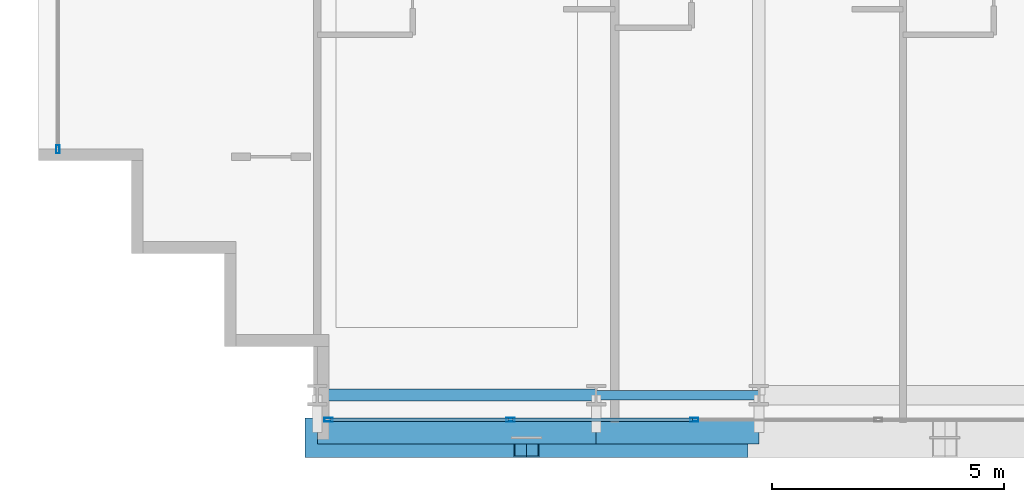
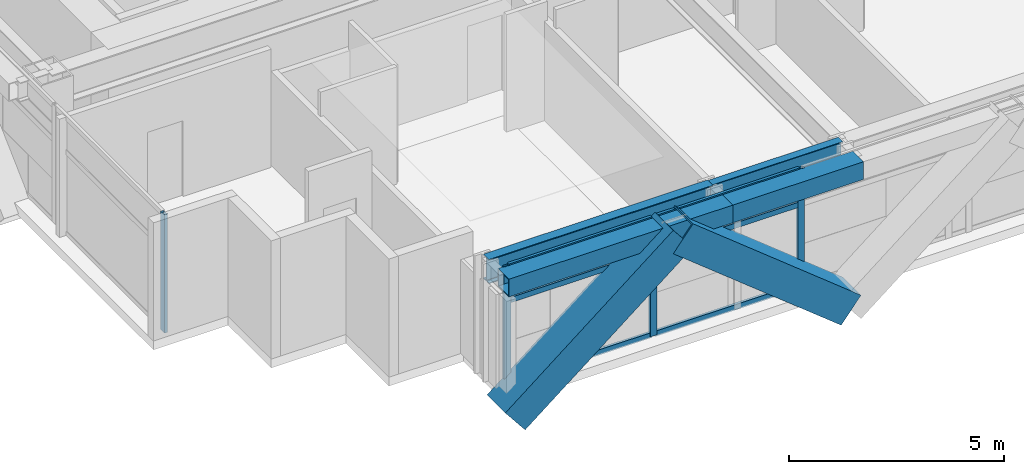
# One storey, part 2 of 35: 12 members, 4 beams, 2 elements without a shape of their own.
"""IFC4 building model written with IfcOpenShell, lengths in metres."""

from ifc_helpers import new_model, si_unit, direction, frame, origin, origin_2d, place, context, subcontext, project, spatial, hollow_rectangle, i_section, extrude, source, transform, mapped, material, layer, layer_set, material_profile, profile_set, type_object, element, aggregate, save


model = new_model("IFC4")

# Units and contexts
model_context = context("Model", 3, precision=1e-05, world=origin(), true_north=direction((0.0, 1.0)))
body_context = subcontext(model_context, "Body", "Model", "MODEL_VIEW")
ifc_project = project(units=[si_unit("LENGTHUNIT", "METRE"), si_unit("AREAUNIT", "SQUARE_METRE"), si_unit("VOLUMEUNIT", "CUBIC_METRE"), si_unit("PLANEANGLEUNIT", "RADIAN"), si_unit("MASSUNIT", "GRAM", prefix="KILO")], contexts=[model_context])

# Site, building, storey
site_placement = place(None, origin())
site = spatial("IfcSite", under=ifc_project, at=site_placement, CompositionType="ELEMENT")
building_placement = place(site_placement, origin())
building = spatial("IfcBuilding", under=site, at=building_placement, Name="Ocotamira Hotel", CompositionType="ELEMENT")
storey_placement = place(building_placement, frame((0.0, 0.0, 49.199951171875)))
storey = spatial("IfcBuildingStorey", under=building, at=storey_placement, Name="L11", CompositionType="ELEMENT", Elevation=49.199951171875)

# Beams
ifc_material_1 = material(Name="Steel ASTM A992 Grade 50", Category="steel")
ifc_material_profile_1 = material_profile(ifc_material_1, i_section(OverallWidth=0.256103515625, OverallDepth=0.693115234375, WebThickness=0.014404296875, FlangeThickness=0.023681640625, FilletRadius=0.01611328125, at=origin_2d()), Name="W27X114")
ifc_profile_set_1 = profile_set([ifc_material_profile_1], Name="Steel ASTM A992 Grade 50")
beam_type_1 = type_object("IfcBeamType", Name="BM-PRIM-W27X114", PredefinedType="BEAM", material=ifc_profile_set_1)
shared_shape_1 = source(origin(), body_context, "Body", "SweptSolid", [
    extrude(i_section(OverallWidth=0.256103515625, OverallDepth=0.693115234375, WebThickness=0.014404296875, FlangeThickness=0.023681640625, FilletRadius=0.01611328125, at=origin_2d()), origin(), (0.0, 0.0, 1.0), 6.0),
])
beam_1_placement = place(storey_placement, frame((14.0, 2.949951171875, 3.003662109375), z_axis=(1.0, 0.0, 0.0), x_axis=(0.0, 1.0, 0.0)))
element("IfcBeam", 1, at=beam_1_placement, inside=storey, type_object=beam_type_1, Name="L11 Girder Y2.95 X14-20", PredefinedType="BEAM", context=body_context, shape_type="MappedRepresentation", body=[
    mapped(shared_shape_1, transform((0.0, 0.0, 0.0), scale=1.0)),
])
ifc_material_profile_2 = material_profile(ifc_material_1, i_section(OverallWidth=0.2099609375, OverallDepth=0.537109375, WebThickness=0.010986328125, FlangeThickness=0.017333984375, FilletRadius=0.012939453125, at=origin_2d()), Name="W21X68")
ifc_profile_set_2 = profile_set([ifc_material_profile_2], Name="Steel ASTM A992 Grade 50")
beam_type_2 = type_object("IfcBeamType", Name="BM-SEC-W21X68", PredefinedType="JOIST", material=ifc_profile_set_2)
shared_shape_2 = source(origin(), body_context, "Body", "SweptSolid", [
    extrude(i_section(OverallWidth=0.2099609375, OverallDepth=0.537109375, WebThickness=0.010986328125, FlangeThickness=0.017333984375, FilletRadius=0.012939453125, at=origin_2d()), origin(), (0.0, 0.0, 1.0), 3.5),
])
beam_2_placement = place(storey_placement, frame((20.0, 2.949951171875, 3.08154296875), z_axis=(1.0, 0.0, 0.0), x_axis=(0.0, 1.0, 0.0)))
element("IfcBeam", 2, at=beam_2_placement, inside=storey, type_object=beam_type_2, Name="L11 Girder Y2.95 X20-23.5", PredefinedType="JOIST", context=body_context, shape_type="MappedRepresentation", body=[
    mapped(shared_shape_2, transform((0.0, 0.0, 0.0), scale=1.0)),
])
ifc_material_2 = material(Name="Steel ASTM A500 Grade C", Category="steel")
ifc_material_profile_3 = material_profile(ifc_material_2, hollow_rectangle(XDim=0.5, YDim=0.5, WallThickness=0.02001953125, at=origin_2d()), Name="HSS500X500X20")
ifc_profile_set_3 = profile_set([ifc_material_profile_3], Name="Steel ASTM A500 Grade C")
beam_type_3 = type_object("IfcBeamType", Name="BM-SPAN-HSS500", PredefinedType="USERDEFINED", material=ifc_profile_set_3)
shared_shape_3 = source(origin(), body_context, "Body", "SweptSolid", [
    extrude(hollow_rectangle(XDim=0.5, YDim=0.5, WallThickness=0.02001953125, at=origin_2d()), origin(), (0.0, 0.0, 1.0), 6.0),
])
beam_3_placement = place(storey_placement, frame((14.0, 2.14990234375, 3.10009765625), z_axis=(1.0, 0.0, 0.0), x_axis=(0.0, 1.0, 0.0)))
element("IfcBeam", 3, at=beam_3_placement, inside=storey, type_object=beam_type_3, Name="L11 Edge Spandrel S X14-20", ObjectType="SPANDREL", PredefinedType="USERDEFINED", context=body_context, shape_type="MappedRepresentation", body=[
    mapped(shared_shape_3, transform((0.0, 0.0, 0.0), scale=1.0)),
])
shared_shape_4 = source(origin(), body_context, "Body", "SweptSolid", [
    extrude(hollow_rectangle(XDim=0.5, YDim=0.5, WallThickness=0.02001953125, at=origin_2d()), origin(), (0.0, 0.0, 1.0), 3.5),
])
beam_4_placement = place(storey_placement, frame((20.0, 2.14990234375, 3.10009765625), z_axis=(1.0, 0.0, 0.0), x_axis=(0.0, 1.0, 0.0)))
element("IfcBeam", 4, at=beam_4_placement, inside=storey, type_object=beam_type_3, Name="L11 Edge Spandrel S X20-23.5", ObjectType="SPANDREL", PredefinedType="USERDEFINED", context=body_context, shape_type="MappedRepresentation", body=[
    mapped(shared_shape_4, transform((0.0, 0.0, 0.0), scale=1.0)),
])

# Members
ifc_material_3 = material(Name="Pale-metal coated steel ASTM A913 Grade 65", Category="steel")
ifc_material_profile_4 = material_profile(ifc_material_3, hollow_rectangle(XDim=0.85009765625, YDim=0.85009765625, WallThickness=0.035888671875, at=origin_2d()), Name="BOX850X850X36")
ifc_profile_set_4 = profile_set([ifc_material_profile_4], Name="Pale-metal coated steel ASTM A913 Grade 65")
member_type_1 = type_object("IfcMemberType", Name="MEM-EXO-BOX850", PredefinedType="BRACE", material=ifc_profile_set_4)
shared_shape_5 = source(origin(), body_context, "Body", "SweptSolid", [
    extrude(hollow_rectangle(XDim=0.85009765625, YDim=0.85009765625, WallThickness=0.035888671875, at=origin_2d()), origin(), (0.0, 0.0, 1.0), 5.762939453125),
])
for number, where, z_axis, x_axis, name in (
    (5, (14.0, 2.030029296875, -0.5), (0.780860543151, 0.0, 0.624705380279), (0.0, 1.0, 0.0), "L11 Exoskeleton Diagrid S0.1"),
    (6, (23.0, 2.030029296875, -0.5), (-0.780860543151, 0.0, 0.624705380279), (0.0, -1.0, 0.0), "L11 Exoskeleton Diagrid S0.2"),
):
    element("IfcMember", number, at=place(storey_placement, frame(where, z_axis=z_axis, x_axis=x_axis)), inside=storey, type_object=member_type_1, Name=name, PredefinedType="BRACE", context=body_context, shape_type="MappedRepresentation", body=[
        mapped(shared_shape_5, transform((0.0, 0.0, 0.0), scale=1.0)),
    ])

# Curtain wall, members
ifc_material_4 = material(Name="Anodised pale-metal aluminium and solar glass", Category="aluminium")
ifc_layer = layer(ifc_material_4, 0.179931640625)
ifc_layer_set = layer_set([ifc_layer], Name="Anodised pale-metal aluminium and solar glass")
curtain_wall_type = type_object("IfcCurtainWallType", Name="CW-SYS2-Z1", PredefinedType="NOTDEFINED", material=ifc_layer_set)
curtain_wall_1_placement = place(storey_placement, origin())
curtain_wall_1 = element("IfcCurtainWall", 7, at=curtain_wall_1_placement, inside=storey, type_object=curtain_wall_type, Name="L11 Curtain Wall CW-2 CW-L11-S1", PredefinedType="NOTDEFINED")
ifc_material_5 = material(Name="Anodised pale-metal aluminium 6063-T6", Category="aluminium")
ifc_material_profile_5 = material_profile(ifc_material_5, hollow_rectangle(XDim=0.074951171875, YDim=0.14990234375, WallThickness=0.006103515625, at=origin_2d()), Name="HSS150X75X6")
ifc_profile_set_5 = profile_set([ifc_material_profile_5], Name="Anodised pale-metal aluminium 6063-T6")
member_type_2 = type_object("IfcMemberType", Name="CWT-150X75", PredefinedType="USERDEFINED", material=ifc_profile_set_5)
shared_shape_6 = source(origin(), body_context, "Body", "SweptSolid", [
    extrude(hollow_rectangle(XDim=0.074951171875, YDim=0.14990234375, WallThickness=0.006103515625, at=origin_2d()), origin(), (0.0, 0.0, 1.0), 3.83544921875),
])
member_1_placement = place(storey_placement, frame((14.280029296875, 2.419921875, 0.03759765625), z_axis=(1.0, 0.0, 0.0), x_axis=(0.0, 1.0, 0.0)))
member_1 = element("IfcMember", 8, at=member_1_placement, type_object=member_type_2, Name="CW-2 transom 1.1", ObjectType="TRANSOM", PredefinedType="USERDEFINED", context=body_context, shape_type="MappedRepresentation", body=[
    mapped(shared_shape_6, transform((0.0, 0.0, 0.0), scale=1.0)),
])
member_2_placement = place(storey_placement, frame((14.280029296875, 2.419921875, 2.35009765625), z_axis=(1.0, 0.0, 0.0), x_axis=(0.0, 1.0, 0.0)))
member_2 = element("IfcMember", 9, at=member_2_placement, type_object=member_type_2, Name="CW-2 transom 1.2", ObjectType="TRANSOM", PredefinedType="USERDEFINED", context=body_context, shape_type="MappedRepresentation", body=[
    mapped(shared_shape_6, transform((0.0, 0.0, 0.0), scale=1.0)),
])
member_3_placement = place(storey_placement, frame((14.280029296875, 2.419921875, 3.3125), z_axis=(1.0, 0.0, 0.0), x_axis=(0.0, 1.0, 0.0)))
member_3 = element("IfcMember", 10, at=member_3_placement, type_object=member_type_2, Name="CW-2 transom 1.3", ObjectType="TRANSOM", PredefinedType="USERDEFINED", context=body_context, shape_type="MappedRepresentation", body=[
    mapped(shared_shape_6, transform((0.0, 0.0, 0.0), scale=1.0)),
])
shared_shape_7 = source(origin(), body_context, "Body", "SweptSolid", [
    extrude(hollow_rectangle(XDim=0.074951171875, YDim=0.14990234375, WallThickness=0.006103515625, at=origin_2d()), origin(), (0.0, 0.0, 1.0), 3.87548828125),
])
member_4_placement = place(storey_placement, frame((18.195556640625, 2.419921875, 0.03759765625), z_axis=(1.0, 0.0, 0.0), x_axis=(0.0, 1.0, 0.0)))
member_4 = element("IfcMember", 11, at=member_4_placement, type_object=member_type_2, Name="CW-2 transom 2.1", ObjectType="TRANSOM", PredefinedType="USERDEFINED", context=body_context, shape_type="MappedRepresentation", body=[
    mapped(shared_shape_7, transform((0.0, 0.0, 0.0), scale=1.0)),
])
member_5_placement = place(storey_placement, frame((18.195556640625, 2.419921875, 2.35009765625), z_axis=(1.0, 0.0, 0.0), x_axis=(0.0, 1.0, 0.0)))
member_5 = element("IfcMember", 12, at=member_5_placement, type_object=member_type_2, Name="CW-2 transom 2.2", ObjectType="TRANSOM", PredefinedType="USERDEFINED", context=body_context, shape_type="MappedRepresentation", body=[
    mapped(shared_shape_7, transform((0.0, 0.0, 0.0), scale=1.0)),
])
member_6_placement = place(storey_placement, frame((18.195556640625, 2.419921875, 3.3125), z_axis=(1.0, 0.0, 0.0), x_axis=(0.0, 1.0, 0.0)))
member_6 = element("IfcMember", 13, at=member_6_placement, type_object=member_type_2, Name="CW-2 transom 2.3", ObjectType="TRANSOM", PredefinedType="USERDEFINED", context=body_context, shape_type="MappedRepresentation", body=[
    mapped(shared_shape_7, transform((0.0, 0.0, 0.0), scale=1.0)),
])
ifc_material_profile_6 = material_profile(ifc_material_5, hollow_rectangle(XDim=0.080078125, YDim=0.179931640625, WallThickness=0.006103515625, at=origin_2d()), Name="HSS180X80X6")
ifc_profile_set_6 = profile_set([ifc_material_profile_6], Name="Anodised pale-metal aluminium 6063-T6")
member_type_3 = type_object("IfcMemberType", Name="CWM-180X75", PredefinedType="MULLION", material=ifc_profile_set_6)
shared_shape_8 = source(origin(), body_context, "Body", "SweptSolid", [
    extrude(hollow_rectangle(XDim=0.080078125, YDim=0.179931640625, WallThickness=0.006103515625, at=origin_2d()), origin(), (0.0, 0.0, 1.0), 3.35009765625),
])
member_7_placement = place(storey_placement, frame((14.239990234375, 2.419921875, 0.0), z_axis=(0.0, 0.0, 1.0), x_axis=(0.0, 1.0, 0.0)))
member_7 = element("IfcMember", 14, at=member_7_placement, type_object=member_type_3, Name="CW-2 mullion 1", PredefinedType="MULLION", context=body_context, shape_type="MappedRepresentation", body=[
    mapped(shared_shape_8, transform((0.0, 0.0, 0.0), scale=1.0)),
])
member_8_placement = place(storey_placement, frame((18.155517578125, 2.419921875, 0.0), z_axis=(0.0, 0.0, 1.0), x_axis=(0.0, 1.0, 0.0)))
member_8 = element("IfcMember", 15, at=member_8_placement, type_object=member_type_3, Name="CW-2 mullion 2", PredefinedType="MULLION", context=body_context, shape_type="MappedRepresentation", body=[
    mapped(shared_shape_8, transform((0.0, 0.0, 0.0), scale=1.0)),
])
member_9_placement = place(storey_placement, frame((22.111083984375, 2.419921875, 0.0), z_axis=(0.0, 0.0, 1.0), x_axis=(0.0, 1.0, 0.0)))
member_9 = element("IfcMember", 16, at=member_9_placement, type_object=member_type_3, Name="CW-2 mullion 3", PredefinedType="MULLION", context=body_context, shape_type="MappedRepresentation", body=[
    mapped(shared_shape_8, transform((0.0, 0.0, 0.0), scale=1.0)),
])
aggregate(curtain_wall_1, [member_7, member_8, member_9, member_1, member_2, member_3, member_4, member_5, member_6])

# Curtain wall, member
curtain_wall_2_placement = place(storey_placement, origin())
curtain_wall_2 = element("IfcCurtainWall", 17, at=curtain_wall_2_placement, inside=storey, type_object=curtain_wall_type, Name="L11 Curtain Wall CW-2 CW-L11-W", PredefinedType="NOTDEFINED")
member_10_placement = place(storey_placement, frame((8.419921875, 8.239990234375, 0.0), z_axis=(0.0, 0.0, 1.0), x_axis=(-1.0, 0.0, 0.0)))
member_10 = element("IfcMember", 18, at=member_10_placement, type_object=member_type_3, Name="CW-2 mullion 1", PredefinedType="MULLION", context=body_context, shape_type="MappedRepresentation", body=[
    mapped(shared_shape_8, transform((0.0, 0.0, 0.0), scale=1.0)),
])
aggregate(curtain_wall_2, [member_10])

save(model, "model.ifc")
